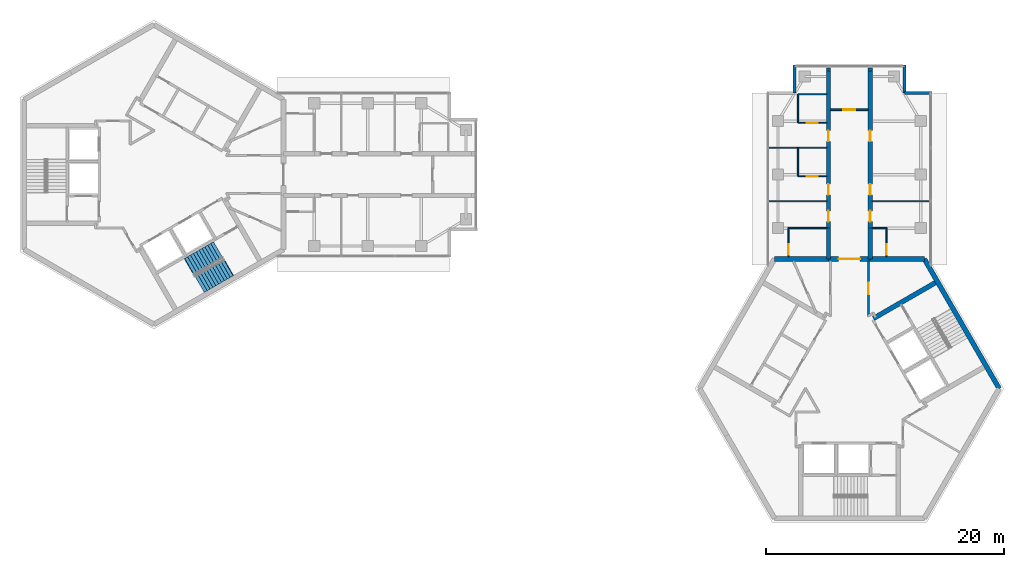
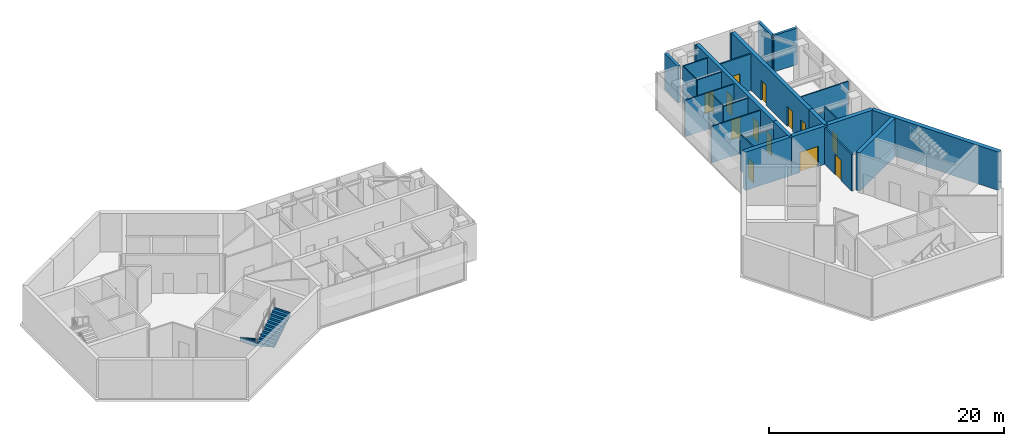
# One storey, part 9 of 11: 28 walls, 13 doors, 2 stair flights, 13 openings, 1 element without a shape of its own.
"""IFC4 building model written with IfcOpenShell, lengths in metres."""

from ifc_helpers import new_model, si_unit, direction, frame, frame_2d, origin, place, context, subcontext, project, spatial, polyline, rectangle, outline, extrude, material, layer, layer_set, type_object, element, fill, aggregate, save


model = new_model("IFC4")

# Units and contexts
model_context = context("Model", 3, precision=1e-05, world=origin(), true_north=direction((0.0, 1.0)))
body_context = subcontext(model_context, "Body", "Model", "MODEL_VIEW")
ifc_project = project(units=[si_unit("LENGTHUNIT", "METRE"), si_unit("AREAUNIT", "SQUARE_METRE"), si_unit("VOLUMEUNIT", "CUBIC_METRE"), si_unit("PLANEANGLEUNIT", "RADIAN"), si_unit("MASSUNIT", "GRAM", prefix="KILO")], contexts=[model_context])

# Site, building, storey
site_placement = place(None, origin())
site = spatial("IfcSite", under=ifc_project, at=site_placement, CompositionType="ELEMENT")
building_placement = place(site_placement, origin())
building = spatial("IfcBuilding", under=site, at=building_placement, Name="Upepo Twin Towers", CompositionType="ELEMENT")
storey_placement = place(building_placement, frame((0.0, 0.0, 267.5)))
storey = spatial("IfcBuildingStorey", under=building, at=storey_placement, Name="L65", CompositionType="ELEMENT", Elevation=267.5)

# Walls
ifc_material_1 = material(Name="Dense concrete blockwork", Category="masonry")
ifc_layer_1 = layer(ifc_material_1, 0.35009765625)
ifc_layer_set_1 = layer_set([ifc_layer_1], Name="Buttress closer 350, blockwork with fire-stopping to the curtain wall")
wall_type_1 = type_object("IfcWallType", Name="Buttress closer 350, blockwork with fire-stopping to the curtain wall", PredefinedType="PARTITIONING", material=ifc_layer_set_1)
for number, where, z_axis, x_axis, name in (
    (1, (56.75, 8.699951171875, 0.0), (0.0, 0.0, 1.0), (0.0, 1.0, 0.0), "T2 L65 wing A buttress closer L"),
    (2, (60.25, 8.699951171875, 0.0), (0.0, 0.0, 1.0), (0.0, 1.0, 0.0), "T2 L65 wing A buttress closer R"),
):
    element("IfcWall", number, at=place(storey_placement, frame(where, z_axis=z_axis, x_axis=x_axis)), inside=storey, type_object=wall_type_1, Name=name, PredefinedType="PARTITIONING", context=body_context, shape_type="SweptSolid", body=[
        extrude(rectangle(XDim=0.275146484375, YDim=0.35009765625, at=frame_2d((0.1376953125, 0.0))), origin(), (0.0, 0.0, 1.0), 3.800048828125),
    ])
ifc_material_2 = material(Name="Concrete C60/75", Category="concrete")
ifc_layer_2 = layer(ifc_material_2, 0.35009765625)
ifc_layer_set_2 = layer_set([ifc_layer_2], Name="Concrete C60/75")
wall_type_2 = type_object("IfcWallType", Name="Buttress wall 350 RC", PredefinedType="SHEAR", material=ifc_layer_set_2)
wall_1_placement = place(storey_placement, frame((56.75, -7.091552734375, 0.0), z_axis=(0.0, 0.0, 1.0), x_axis=(0.0, 1.0, 0.0)))
element("IfcWall", 3, at=wall_1_placement, inside=storey, type_object=wall_type_2, Name="T2 wing A buttress wall L", PredefinedType="SHEAR", context=body_context, shape_type="SweptSolid", body=[
    extrude(rectangle(XDim=2.591552734375, YDim=0.35009765625, at=frame_2d((1.2958984375, 0.0))), origin(), (0.0, 0.0, 1.0), 4.0),
])

# Wall, openings, doors
wall_2_placement = place(storey_placement, frame((56.75, -4.5, 0.0), z_axis=(0.0, 0.0, 1.0), x_axis=(0.0, 1.0, 0.0)))
wall_2 = element("IfcWall", 4, at=wall_2_placement, inside=storey, type_object=wall_type_2, Name="T2 wing A buttress wall L part 2", PredefinedType="SHEAR", context=body_context, shape_type="SweptSolid", body=[
    extrude(rectangle(XDim=13.199951171875, YDim=0.35009765625, at=frame_2d((6.60009765625, 0.0))), origin(), (0.0, 0.0, 1.0), 4.0),
])
opening_1_placement = place(wall_2_placement, frame((0.550048828125, 0.0, 0.0)))
opening_1 = element("IfcOpeningElement", 5, at=opening_1_placement, cuts=wall_2, Name="Opening D11", PredefinedType="OPENING", context=body_context, shape_type="SweptSolid", body=[
    extrude(rectangle(XDim=0.89990234375, YDim=2.10009765625, at=frame_2d((0.449951171875, 1.050048828125))), frame((0.0, 0.18505859375, 0.0), z_axis=(0.0, -1.0, 0.0), x_axis=(1.0, 0.0, 0.0)), (0.0, 0.0, 1.0), 0.3701171875),
])
opening_2_placement = place(wall_2_placement, frame((2.800048828125, 0.0, 0.0)))
opening_2 = element("IfcOpeningElement", 6, at=opening_2_placement, cuts=wall_2, Name="Opening D14", PredefinedType="OPENING", context=body_context, shape_type="SweptSolid", body=[
    extrude(rectangle(XDim=0.89990234375, YDim=2.10009765625, at=frame_2d((0.449951171875, 1.050048828125))), frame((0.0, 0.18505859375, 0.0), z_axis=(0.0, -1.0, 0.0), x_axis=(1.0, 0.0, 0.0)), (0.0, 0.0, 1.0), 0.3701171875),
])
opening_3_placement = place(wall_2_placement, frame((7.300048828125, 0.0, 0.0)))
opening_3 = element("IfcOpeningElement", 7, at=opening_3_placement, cuts=wall_2, Name="Opening D14", PredefinedType="OPENING", context=body_context, shape_type="SweptSolid", body=[
    extrude(rectangle(XDim=0.89990234375, YDim=2.10009765625, at=frame_2d((0.449951171875, 1.050048828125))), frame((0.0, 0.18505859375, 0.0), z_axis=(0.0, -1.0, 0.0), x_axis=(1.0, 0.0, 0.0)), (0.0, 0.0, 1.0), 0.3701171875),
])
ifc_material_3 = material(Name="Timber doorset", Category="wood")
door_type_1 = type_object("IfcDoorType", Name="Office door 900 FD30", OperationType="SINGLE_SWING_LEFT", PredefinedType="DOOR", material=ifc_material_3)
door_1_placement = place(opening_2_placement, origin())
door_1 = element("IfcDoor", 8, at=door_1_placement, inside=storey, type_object=door_type_1, Name="T2 L65 seminar room door", OperationType="SINGLE_SWING_LEFT", OverallHeight=2.10009765625, OverallWidth=0.89990234375, PredefinedType="DOOR", context=body_context, shape_type="SweptSolid", body=[
    extrude(rectangle(XDim=0.89990234375, YDim=2.10009765625, at=frame_2d((0.449951171875, 1.050048828125))), frame((0.0, 0.02490234375, 0.0), z_axis=(0.0, -1.0, 0.0), x_axis=(1.0, 0.0, 0.0)), (0.0, 0.0, 1.0), 0.050048828125),
])
fill(opening_2, door_1)
door_2_placement = place(opening_3_placement, origin())
door_2 = element("IfcDoor", 9, at=door_2_placement, inside=storey, type_object=door_type_1, Name="T2 L65 tutorial room door", OperationType="SINGLE_SWING_RIGHT", OverallHeight=2.10009765625, OverallWidth=0.89990234375, PredefinedType="DOOR", context=body_context, shape_type="SweptSolid", body=[
    extrude(rectangle(XDim=0.89990234375, YDim=2.10009765625, at=frame_2d((0.449951171875, 1.050048828125))), frame((0.0, 0.02490234375, 0.0), z_axis=(0.0, -1.0, 0.0), x_axis=(1.0, 0.0, 0.0)), (0.0, 0.0, 1.0), 0.050048828125),
])
fill(opening_3, door_2)
ifc_material_4 = material(Name="Timber doorset", Category="wood")
door_type_2 = type_object("IfcDoorType", Name="Toilet door 900", OperationType="SINGLE_SWING_LEFT", PredefinedType="DOOR", material=ifc_material_4)
door_3_placement = place(opening_1_placement, origin())
door_3 = element("IfcDoor", 10, at=door_3_placement, inside=storey, type_object=door_type_2, Name="T2 L65 accessible wc door", OperationType="SINGLE_SWING_LEFT", OverallHeight=2.10009765625, OverallWidth=0.89990234375, PredefinedType="DOOR", context=body_context, shape_type="SweptSolid", body=[
    extrude(rectangle(XDim=0.89990234375, YDim=2.10009765625, at=frame_2d((0.449951171875, 1.050048828125))), frame((0.0, 0.02490234375, 0.0), z_axis=(0.0, -1.0, 0.0), x_axis=(1.0, 0.0, 0.0)), (0.0, 0.0, 1.0), 0.050048828125),
])
fill(opening_1, door_3)

# Wall
wall_3_placement = place(storey_placement, frame((60.25, -7.091552734375, 0.0), z_axis=(0.0, 0.0, 1.0), x_axis=(0.0, 1.0, 0.0)))
element("IfcWall", 11, at=wall_3_placement, inside=storey, type_object=wall_type_2, Name="T2 wing A buttress wall R", PredefinedType="SHEAR", context=body_context, shape_type="SweptSolid", body=[
    extrude(rectangle(XDim=2.591552734375, YDim=0.35009765625, at=frame_2d((1.2958984375, 0.0))), origin(), (0.0, 0.0, 1.0), 4.0),
])

# Wall, openings, doors
wall_4_placement = place(storey_placement, frame((60.25, -4.5, 0.0), z_axis=(0.0, 0.0, 1.0), x_axis=(0.0, 1.0, 0.0)))
wall_4 = element("IfcWall", 12, at=wall_4_placement, inside=storey, type_object=wall_type_2, Name="T2 wing A buttress wall R part 2", PredefinedType="SHEAR", context=body_context, shape_type="SweptSolid", body=[
    extrude(rectangle(XDim=13.199951171875, YDim=0.35009765625, at=frame_2d((6.60009765625, 0.0))), origin(), (0.0, 0.0, 1.0), 4.0),
])
opening_4_placement = place(wall_4_placement, frame((0.550048828125, 0.0, 0.0)))
opening_4 = element("IfcOpeningElement", 13, at=opening_4_placement, cuts=wall_4, Name="Opening D11", PredefinedType="OPENING", context=body_context, shape_type="SweptSolid", body=[
    extrude(rectangle(XDim=0.89990234375, YDim=2.10009765625, at=frame_2d((0.449951171875, 1.050048828125))), frame((0.0, 0.18505859375, 0.0), z_axis=(0.0, -1.0, 0.0), x_axis=(1.0, 0.0, 0.0)), (0.0, 0.0, 1.0), 0.3701171875),
])
opening_5_placement = place(wall_4_placement, frame((2.800048828125, 0.0, 0.0)))
opening_5 = element("IfcOpeningElement", 14, at=opening_5_placement, cuts=wall_4, Name="Opening D14", PredefinedType="OPENING", context=body_context, shape_type="SweptSolid", body=[
    extrude(rectangle(XDim=0.89990234375, YDim=2.10009765625, at=frame_2d((0.449951171875, 1.050048828125))), frame((0.0, 0.18505859375, 0.0), z_axis=(0.0, -1.0, 0.0), x_axis=(1.0, 0.0, 0.0)), (0.0, 0.0, 1.0), 0.3701171875),
])
opening_6_placement = place(wall_4_placement, frame((7.300048828125, 0.0, 0.0)))
opening_6 = element("IfcOpeningElement", 15, at=opening_6_placement, cuts=wall_4, Name="Opening D14", PredefinedType="OPENING", context=body_context, shape_type="SweptSolid", body=[
    extrude(rectangle(XDim=0.89990234375, YDim=2.10009765625, at=frame_2d((0.449951171875, 1.050048828125))), frame((0.0, 0.18505859375, 0.0), z_axis=(0.0, -1.0, 0.0), x_axis=(1.0, 0.0, 0.0)), (0.0, 0.0, 1.0), 0.3701171875),
])
door_4_placement = place(opening_5_placement, origin())
door_4 = element("IfcDoor", 16, at=door_4_placement, inside=storey, type_object=door_type_1, Name="T2 L65 graduate seminar room door", OperationType="SINGLE_SWING_LEFT", OverallHeight=2.10009765625, OverallWidth=0.89990234375, PredefinedType="DOOR", context=body_context, shape_type="SweptSolid", body=[
    extrude(rectangle(XDim=0.89990234375, YDim=2.10009765625, at=frame_2d((0.449951171875, 1.050048828125))), frame((0.0, 0.02490234375, 0.0), z_axis=(0.0, -1.0, 0.0), x_axis=(1.0, 0.0, 0.0)), (0.0, 0.0, 1.0), 0.050048828125),
])
fill(opening_5, door_4)
door_5_placement = place(opening_6_placement, origin())
door_5 = element("IfcDoor", 17, at=door_5_placement, inside=storey, type_object=door_type_1, Name="T2 L65 graduate seminar room door", OperationType="SINGLE_SWING_RIGHT", OverallHeight=2.10009765625, OverallWidth=0.89990234375, PredefinedType="DOOR", context=body_context, shape_type="SweptSolid", body=[
    extrude(rectangle(XDim=0.89990234375, YDim=2.10009765625, at=frame_2d((0.449951171875, 1.050048828125))), frame((0.0, 0.02490234375, 0.0), z_axis=(0.0, -1.0, 0.0), x_axis=(1.0, 0.0, 0.0)), (0.0, 0.0, 1.0), 0.050048828125),
])
fill(opening_6, door_5)
door_6_placement = place(opening_4_placement, origin())
door_6 = element("IfcDoor", 18, at=door_6_placement, inside=storey, type_object=door_type_2, Name="T2 L65 toilets door", OperationType="SINGLE_SWING_LEFT", OverallHeight=2.10009765625, OverallWidth=0.89990234375, PredefinedType="DOOR", context=body_context, shape_type="SweptSolid", body=[
    extrude(rectangle(XDim=0.89990234375, YDim=2.10009765625, at=frame_2d((0.449951171875, 1.050048828125))), frame((0.0, 0.02490234375, 0.0), z_axis=(0.0, -1.0, 0.0), x_axis=(1.0, 0.0, 0.0)), (0.0, 0.0, 1.0), 0.050048828125),
])
fill(opening_4, door_6)

# Wall
ifc_material_5 = material(Name="Concrete C60/75", Category="concrete")
ifc_layer_3 = layer(ifc_material_5, 0.39990234375)
ifc_layer_set_3 = layer_set([ifc_layer_3], Name="Concrete C60/75")
wall_type_3 = type_object("IfcWallType", Name="Core wall 400 RC", PredefinedType="SHEAR", material=ifc_layer_set_3)
wall_5_placement = place(storey_placement, frame((64.7978515625, -7.091552734375, 0.0), z_axis=(0.0, 0.0, 1.0), x_axis=(-1.0, 0.0, 0.0)))
element("IfcWall", 19, at=wall_5_placement, inside=storey, type_object=wall_type_3, Name="T2 core wall 000 R", PredefinedType="SHEAR", context=body_context, shape_type="SweptSolid", body=[
    extrude(rectangle(XDim=4.5478515625, YDim=0.39990234375, at=frame_2d((2.27392578125, 0.0))), origin(), (0.0, 0.0, 1.0), 4.0),
])

# Wall, opening, door
wall_6_placement = place(storey_placement, frame((60.25, -7.091552734375, 0.0), z_axis=(0.0, 0.0, 1.0), x_axis=(-1.0, 0.0, 0.0)))
wall_6 = element("IfcWall", 20, at=wall_6_placement, inside=storey, type_object=wall_type_3, Name="T2 core wall 000", PredefinedType="SHEAR", context=body_context, shape_type="SweptSolid", body=[
    extrude(rectangle(XDim=3.5, YDim=0.39990234375, at=frame_2d((1.75, 0.0))), origin(), (0.0, 0.0, 1.0), 4.0),
])
opening_7_placement = place(wall_6_placement, frame((0.85009765625, 0.0, 0.0)))
opening_7 = element("IfcOpeningElement", 21, at=opening_7_placement, cuts=wall_6, Name="Opening D2", PredefinedType="OPENING", context=body_context, shape_type="SweptSolid", body=[
    extrude(rectangle(XDim=1.800048828125, YDim=2.10009765625, at=frame_2d((0.89990234375, 1.050048828125))), frame((0.0, 0.2099609375, 0.0), z_axis=(0.0, -1.0, 0.0), x_axis=(1.0, 0.0, 0.0)), (0.0, 0.0, 1.0), 0.419921875),
])
ifc_material_6 = material(Name="Timber doorset", Category="wood")
door_type_3 = type_object("IfcDoorType", Name="Corridor double door 1800 FD60", OperationType="DOUBLE_DOOR_DOUBLE_SWING", PredefinedType="DOOR", material=ifc_material_6)
door_7_placement = place(opening_7_placement, origin())
door_7 = element("IfcDoor", 22, at=door_7_placement, inside=storey, type_object=door_type_3, Name="T2 L65 wing A corridor door", OperationType="DOUBLE_DOOR_DOUBLE_SWING", OverallHeight=2.10009765625, OverallWidth=1.800048828125, PredefinedType="DOOR", context=body_context, shape_type="SweptSolid", body=[
    extrude(rectangle(XDim=1.800048828125, YDim=2.10009765625, at=frame_2d((0.89990234375, 1.050048828125))), frame((0.0, 0.02490234375, 0.0), z_axis=(0.0, -1.0, 0.0), x_axis=(1.0, 0.0, 0.0)), (0.0, 0.0, 1.0), 0.050048828125),
])
fill(opening_7, door_7)

# Walls
wall_7_placement = place(storey_placement, frame((56.75, -7.091552734375, 0.0), z_axis=(0.0, 0.0, 1.0), x_axis=(-1.0, 0.0, 0.0)))
element("IfcWall", 23, at=wall_7_placement, inside=storey, type_object=wall_type_3, Name="T2 core wall 000 L", PredefinedType="SHEAR", context=body_context, shape_type="SweptSolid", body=[
    extrude(rectangle(XDim=4.5478515625, YDim=0.39990234375, at=frame_2d((2.27392578125, 0.0))), origin(), (0.0, 0.0, 1.0), 4.0),
])
wall_8_placement = place(storey_placement, frame((71.095947265625, -18.0, 0.0), z_axis=(0.0, 0.0, 1.0), x_axis=(-0.500005998175, 0.866021940709, 0.0)))
element("IfcWall", 24, at=wall_8_placement, inside=storey, type_object=wall_type_3, Name="T2 core wall 300", PredefinedType="SHEAR", context=body_context, shape_type="SweptSolid", body=[
    extrude(rectangle(XDim=12.595947265625, YDim=0.39990234375, at=frame_2d((6.2978515625, 0.0))), origin(), (0.0, 0.0, 1.0), 4.0),
])
ifc_material_7 = material(Name="Blockwork with anodised aluminium cladding", Category="masonry")
ifc_layer_4 = layer(ifc_material_7, 0.25)
ifc_layer_set_4 = layer_set([ifc_layer_4], Name="Notch cladding wall 250, pale metal")
wall_type_4 = type_object("IfcWallType", Name="Notch cladding wall 250, pale metal", PredefinedType="STANDARD", material=ifc_layer_set_4)
for number, where, z_axis, x_axis, name in (
    (25, (53.875, 6.875, 0.0), (0.0, 0.0, 1.0), (0.0, 1.0, 0.0), "T2 L65 wing A notch wall L2"),
    (26, (65.449951171875, 6.875, 0.0), (0.0, 0.0, 1.0), (-1.0, 0.0, 0.0), "T2 L65 wing A notch wall R1"),
    (27, (63.125, 6.875, 0.0), (0.0, 0.0, 1.0), (0.0, 1.0, 0.0), "T2 L65 wing A notch wall R2"),
):
    element("IfcWall", number, at=place(storey_placement, frame(where, z_axis=z_axis, x_axis=x_axis)), inside=storey, type_object=wall_type_4, Name=name, PredefinedType="STANDARD", context=body_context, shape_type="SweptSolid", body=[
        extrude(rectangle(XDim=2.324951171875, YDim=0.25, at=frame_2d((1.16259765625, 0.0))), origin(), (0.0, 0.0, 1.0), 3.800048828125),
    ])
ifc_material_8 = material(Name="Gypsum board on steel studs", Category="steel")
ifc_layer_5 = layer(ifc_material_8, 0.10009765625)
ifc_layer_set_5 = layer_set([ifc_layer_5], Name="Office partition 100 stud")
wall_type_5 = type_object("IfcWallType", Name="Office partition 100 stud", PredefinedType="PARTITIONING", material=ifc_layer_set_5)
for number, where, z_axis, x_axis, name in (
    (28, (56.574951171875, -2.25, 0.0), (0.0, 0.0, 1.0), (-1.0, 0.0, 0.0), "T2 partition AL at 15.75"),
    (29, (56.574951171875, 2.25, 0.0), (0.0, 0.0, 1.0), (-1.0, 0.0, 0.0), "T2 partition AL at 20.25"),
):
    element("IfcWall", number, at=place(storey_placement, frame(where, z_axis=z_axis, x_axis=x_axis)), inside=storey, type_object=wall_type_5, Name=name, PredefinedType="PARTITIONING", context=body_context, shape_type="SweptSolid", body=[
        extrude(rectangle(XDim=4.824951171875, YDim=0.10009765625, at=frame_2d((2.41259765625, 0.0))), origin(), (0.0, 0.0, 1.0), 3.800048828125),
    ])
wall_9_placement = place(storey_placement, frame((54.175048828125, -0.14990234375, 0.0), z_axis=(0.0, 0.0, 1.0), x_axis=(0.0, 1.0, 0.0)))
element("IfcWall", 30, at=wall_9_placement, inside=storey, type_object=wall_type_5, Name="T2 inner room partition AL at 17.85", PredefinedType="PARTITIONING", context=body_context, shape_type="SweptSolid", body=[
    extrude(rectangle(XDim=2.39990234375, YDim=0.10009765625, at=frame_2d((1.199951171875, 0.0))), origin(), (0.0, 0.0, 1.0), 3.800048828125),
])

# Wall, opening, door
wall_10_placement = place(storey_placement, frame((56.574951171875, -0.14990234375, 0.0), z_axis=(0.0, 0.0, 1.0), x_axis=(-1.0, 0.0, 0.0)))
wall_10 = element("IfcWall", 31, at=wall_10_placement, inside=storey, type_object=wall_type_5, Name="T2 inner room partition AL end at 17.85", PredefinedType="PARTITIONING", context=body_context, shape_type="SweptSolid", body=[
    extrude(rectangle(XDim=2.39990234375, YDim=0.10009765625, at=frame_2d((1.199951171875, 0.0))), origin(), (0.0, 0.0, 1.0), 3.800048828125),
])
opening_8_placement = place(wall_10_placement, frame((0.75, 0.0, 0.0)))
opening_8 = element("IfcOpeningElement", 32, at=opening_8_placement, cuts=wall_10, Name="Opening D14", PredefinedType="OPENING", context=body_context, shape_type="SweptSolid", body=[
    extrude(rectangle(XDim=0.89990234375, YDim=2.10009765625, at=frame_2d((0.449951171875, 1.050048828125))), frame((0.0, 0.06005859375, 0.0), z_axis=(0.0, -1.0, 0.0), x_axis=(1.0, 0.0, 0.0)), (0.0, 0.0, 1.0), 0.1201171875),
])
door_8_placement = place(opening_8_placement, origin())
door_8 = element("IfcDoor", 33, at=door_8_placement, inside=storey, type_object=door_type_1, Name="T2 L65 inner room door", OperationType="SINGLE_SWING_LEFT", OverallHeight=2.10009765625, OverallWidth=0.89990234375, PredefinedType="DOOR", context=body_context, shape_type="SweptSolid", body=[
    extrude(rectangle(XDim=0.89990234375, YDim=2.10009765625, at=frame_2d((0.449951171875, 1.050048828125))), frame((0.0, 0.02490234375, 0.0), z_axis=(0.0, -1.0, 0.0), x_axis=(1.0, 0.0, 0.0)), (0.0, 0.0, 1.0), 0.050048828125),
])
fill(opening_8, door_8)

# Wall
wall_11_placement = place(storey_placement, frame((54.175048828125, 4.35009765625, 0.0), z_axis=(0.0, 0.0, 1.0), x_axis=(0.0, 1.0, 0.0)))
element("IfcWall", 34, at=wall_11_placement, inside=storey, type_object=wall_type_5, Name="T2 inner room partition AL at 22.35", PredefinedType="PARTITIONING", context=body_context, shape_type="SweptSolid", body=[
    extrude(rectangle(XDim=2.39990234375, YDim=0.10009765625, at=frame_2d((1.199951171875, 0.0))), origin(), (0.0, 0.0, 1.0), 3.800048828125),
])

# Wall, opening, door
wall_12_placement = place(storey_placement, frame((56.574951171875, 4.35009765625, 0.0), z_axis=(0.0, 0.0, 1.0), x_axis=(-1.0, 0.0, 0.0)))
wall_12 = element("IfcWall", 35, at=wall_12_placement, inside=storey, type_object=wall_type_5, Name="T2 inner room partition AL end at 22.35", PredefinedType="PARTITIONING", context=body_context, shape_type="SweptSolid", body=[
    extrude(rectangle(XDim=2.39990234375, YDim=0.10009765625, at=frame_2d((1.199951171875, 0.0))), origin(), (0.0, 0.0, 1.0), 3.800048828125),
])
opening_9_placement = place(wall_12_placement, frame((0.75, 0.0, 0.0)))
opening_9 = element("IfcOpeningElement", 36, at=opening_9_placement, cuts=wall_12, Name="Opening D14", PredefinedType="OPENING", context=body_context, shape_type="SweptSolid", body=[
    extrude(rectangle(XDim=0.89990234375, YDim=2.10009765625, at=frame_2d((0.449951171875, 1.050048828125))), frame((0.0, 0.06005859375, 0.0), z_axis=(0.0, -1.0, 0.0), x_axis=(1.0, 0.0, 0.0)), (0.0, 0.0, 1.0), 0.1201171875),
])
door_9_placement = place(opening_9_placement, origin())
door_9 = element("IfcDoor", 37, at=door_9_placement, inside=storey, type_object=door_type_1, Name="T2 L65 inner room door", OperationType="SINGLE_SWING_LEFT", OverallHeight=2.10009765625, OverallWidth=0.89990234375, PredefinedType="DOOR", context=body_context, shape_type="SweptSolid", body=[
    extrude(rectangle(XDim=0.89990234375, YDim=2.10009765625, at=frame_2d((0.449951171875, 1.050048828125))), frame((0.0, 0.02490234375, 0.0), z_axis=(0.0, -1.0, 0.0), x_axis=(1.0, 0.0, 0.0)), (0.0, 0.0, 1.0), 0.050048828125),
])
fill(opening_9, door_9)

# Wall
wall_13_placement = place(storey_placement, frame((56.574951171875, 6.75, 0.0), z_axis=(0.0, 0.0, 1.0), x_axis=(-1.0, 0.0, 0.0)))
element("IfcWall", 38, at=wall_13_placement, inside=storey, type_object=wall_type_5, Name="T2 inner room partition AL end at 24.75", PredefinedType="PARTITIONING", context=body_context, shape_type="SweptSolid", body=[
    extrude(rectangle(XDim=2.39990234375, YDim=0.10009765625, at=frame_2d((1.199951171875, 0.0))), origin(), (0.0, 0.0, 1.0), 3.800048828125),
])

# Wall, opening, door
wall_14_placement = place(storey_placement, frame((53.375, -6.89208984375, 0.0), z_axis=(0.0, 0.0, 1.0), x_axis=(0.0, 1.0, 0.0)))
wall_14 = element("IfcWall", 39, at=wall_14_placement, inside=storey, type_object=wall_type_5, Name="T2 WC bay partition AL at 11.11", PredefinedType="PARTITIONING", context=body_context, shape_type="SweptSolid", body=[
    extrude(rectangle(XDim=2.400146484375, YDim=0.10009765625, at=frame_2d((1.2001953125, 0.0))), origin(), (0.0, 0.0, 1.0), 3.800048828125),
])
opening_10_placement = place(wall_14_placement, frame((0.14990234375, 0.0, 0.0)))
opening_10 = element("IfcOpeningElement", 40, at=opening_10_placement, cuts=wall_14, Name="Opening D14", PredefinedType="OPENING", context=body_context, shape_type="SweptSolid", body=[
    extrude(rectangle(XDim=0.89990234375, YDim=2.10009765625, at=frame_2d((0.449951171875, 1.050048828125))), frame((0.0, 0.06005859375, 0.0), z_axis=(0.0, -1.0, 0.0), x_axis=(1.0, 0.0, 0.0)), (0.0, 0.0, 1.0), 0.1201171875),
])
door_10_placement = place(opening_10_placement, origin())
door_10 = element("IfcDoor", 41, at=door_10_placement, inside=storey, type_object=door_type_1, Name="T2 L65 WC bay inner room door", OperationType="SINGLE_SWING_LEFT", OverallHeight=2.10009765625, OverallWidth=0.89990234375, PredefinedType="DOOR", context=body_context, shape_type="SweptSolid", body=[
    extrude(rectangle(XDim=0.89990234375, YDim=2.10009765625, at=frame_2d((0.449951171875, 1.050048828125))), frame((0.0, 0.02490234375, 0.0), z_axis=(0.0, -1.0, 0.0), x_axis=(1.0, 0.0, 0.0)), (0.0, 0.0, 1.0), 0.050048828125),
])
fill(opening_10, door_10)

# Walls
wall_15_placement = place(storey_placement, frame((56.574951171875, -4.491943359375, 0.0), z_axis=(0.0, 0.0, 1.0), x_axis=(-1.0, 0.0, 0.0)))
element("IfcWall", 42, at=wall_15_placement, inside=storey, type_object=wall_type_5, Name="T2 WC bay partition AL end at 13.51", PredefinedType="PARTITIONING", context=body_context, shape_type="SweptSolid", body=[
    extrude(rectangle(XDim=3.199951171875, YDim=0.10009765625, at=frame_2d((1.60009765625, 0.0))), origin(), (0.0, 0.0, 1.0), 3.266845703125),
])
wall_16_placement = place(storey_placement, frame((60.425048828125, -2.25, 0.0), z_axis=(0.0, 0.0, 1.0), x_axis=(1.0, 0.0, 0.0)))
element("IfcWall", 43, at=wall_16_placement, inside=storey, type_object=wall_type_5, Name="T2 partition AR at 15.75", PredefinedType="PARTITIONING", context=body_context, shape_type="SweptSolid", body=[
    extrude(rectangle(XDim=4.824951171875, YDim=0.10009765625, at=frame_2d((2.41259765625, 0.0))), origin(), (0.0, 0.0, 1.0), 3.800048828125),
])

# Wall, opening, door
wall_17_placement = place(storey_placement, frame((61.625, -6.89208984375, 0.0), z_axis=(0.0, 0.0, 1.0), x_axis=(0.0, 1.0, 0.0)))
wall_17 = element("IfcWall", 44, at=wall_17_placement, inside=storey, type_object=wall_type_5, Name="T2 WC bay partition AR at 11.11", PredefinedType="PARTITIONING", context=body_context, shape_type="SweptSolid", body=[
    extrude(rectangle(XDim=2.400146484375, YDim=0.10009765625, at=frame_2d((1.2001953125, 0.0))), origin(), (0.0, 0.0, 1.0), 3.800048828125),
])
opening_11_placement = place(wall_17_placement, frame((0.14990234375, 0.0, 0.0)))
opening_11 = element("IfcOpeningElement", 45, at=opening_11_placement, cuts=wall_17, Name="Opening D14", PredefinedType="OPENING", context=body_context, shape_type="SweptSolid", body=[
    extrude(rectangle(XDim=0.89990234375, YDim=2.10009765625, at=frame_2d((0.449951171875, 1.050048828125))), frame((0.0, 0.06005859375, 0.0), z_axis=(0.0, -1.0, 0.0), x_axis=(1.0, 0.0, 0.0)), (0.0, 0.0, 1.0), 0.1201171875),
])
door_11_placement = place(opening_11_placement, origin())
door_11 = element("IfcDoor", 46, at=door_11_placement, inside=storey, type_object=door_type_1, Name="T2 L65 WC bay inner room door", OperationType="SINGLE_SWING_LEFT", OverallHeight=2.10009765625, OverallWidth=0.89990234375, PredefinedType="DOOR", context=body_context, shape_type="SweptSolid", body=[
    extrude(rectangle(XDim=0.89990234375, YDim=2.10009765625, at=frame_2d((0.449951171875, 1.050048828125))), frame((0.0, 0.02490234375, 0.0), z_axis=(0.0, -1.0, 0.0), x_axis=(1.0, 0.0, 0.0)), (0.0, 0.0, 1.0), 0.050048828125),
])
fill(opening_11, door_11)

# Walls
wall_18_placement = place(storey_placement, frame((60.425048828125, -4.491943359375, 0.0), z_axis=(0.0, 0.0, 1.0), x_axis=(1.0, 0.0, 0.0)))
element("IfcWall", 47, at=wall_18_placement, inside=storey, type_object=wall_type_5, Name="T2 WC bay partition AR end at 13.51", PredefinedType="PARTITIONING", context=body_context, shape_type="SweptSolid", body=[
    extrude(rectangle(XDim=1.199951171875, YDim=0.10009765625, at=frame_2d((0.60009765625, 0.0))), origin(), (0.0, 0.0, 1.0), 3.266845703125),
])
ifc_material_9 = material(Name="Concrete C40/50", Category="concrete")
ifc_layer_6 = layer(ifc_material_9, 0.39990234375)
ifc_layer_set_6 = layer_set([ifc_layer_6], Name="Concrete C40/50")
wall_type_6 = type_object("IfcWallType", Name="Shaft wall 400 RC", PredefinedType="SHEAR", material=ifc_layer_set_6)
wall_19_placement = place(storey_placement, frame((60.520263671875, -12.099365234375, 0.0), z_axis=(0.0, 0.0, 1.0), x_axis=(0.866026570101, 0.499997979876, 0.0)))
element("IfcWall", 48, at=wall_19_placement, inside=storey, type_object=wall_type_6, Name="T2 core W300 side wall N", PredefinedType="SHEAR", context=body_context, shape_type="SweptSolid", body=[
    extrude(rectangle(XDim=6.00830078125, YDim=0.39990234375, at=frame_2d((3.004150390625, 0.0))), origin(), (0.0, 0.0, 1.0), 4.0),
])

# Wall, opening, door
ifc_material_10 = material(Name="Gypsum board on steel studs", Category="steel")
ifc_layer_7 = layer(ifc_material_10, 0.14990234375)
ifc_layer_set_7 = layer_set([ifc_layer_7], Name="Teaching partition 150 acoustic")
wall_type_7 = type_object("IfcWallType", Name="Teaching partition 150 acoustic", PredefinedType="PARTITIONING", material=ifc_layer_set_7)
wall_20_placement = place(storey_placement, frame((60.10009765625, -7.28173828125, 0.0), z_axis=(0.0, 0.0, 1.0), x_axis=(0.0, -1.0, 0.0)))
wall_20 = element("IfcWall", 49, at=wall_20_placement, inside=storey, type_object=wall_type_7, Name="T2 core room partition 12", PredefinedType="PARTITIONING", context=body_context, shape_type="SweptSolid", body=[
    extrude(rectangle(XDim=4.618408203125, YDim=0.14990234375, at=frame_2d((2.30908203125, 0.0))), origin(), (0.0, 0.0, 1.0), 3.800048828125),
])
opening_12_placement = place(wall_20_placement, frame((1.799072265625, 0.0, 0.0)))
opening_12 = element("IfcOpeningElement", 50, at=opening_12_placement, cuts=wall_20, Name="Opening D1", PredefinedType="OPENING", context=body_context, shape_type="SweptSolid", body=[
    extrude(rectangle(XDim=1.0, YDim=2.10009765625, at=frame_2d((0.5, 1.050048828125))), frame((0.0, 0.0849609375, 0.0), z_axis=(0.0, -1.0, 0.0), x_axis=(1.0, 0.0, 0.0)), (0.0, 0.0, 1.0), 0.169921875),
])
ifc_material_11 = material(Name="Timber doorset", Category="wood")
door_type_4 = type_object("IfcDoorType", Name="Room door 1000 FD30", OperationType="SINGLE_SWING_LEFT", PredefinedType="DOOR", material=ifc_material_11)
door_12_placement = place(opening_12_placement, origin())
door_12 = element("IfcDoor", 51, at=door_12_placement, inside=storey, type_object=door_type_4, Name="T2 L65 core room door K4", OperationType="SINGLE_SWING_LEFT", OverallHeight=2.10009765625, OverallWidth=1.0, PredefinedType="DOOR", context=body_context, shape_type="SweptSolid", body=[
    extrude(rectangle(XDim=1.0, YDim=2.10009765625, at=frame_2d((0.5, 1.050048828125))), frame((0.0, 0.02490234375, 0.0), z_axis=(0.0, -1.0, 0.0), x_axis=(1.0, 0.0, 0.0)), (0.0, 0.0, 1.0), 0.050048828125),
])
fill(opening_12, door_12)

wall_21_placement = place(storey_placement, frame((60.074951171875, 5.449951171875, 0.0), z_axis=(0.0, 0.0, 1.0), x_axis=(-1.0, 0.0, 0.0)))
wall_21 = element("IfcWall", 52, at=wall_21_placement, inside=storey, type_object=wall_type_7, Name="T2 corridor end partition A at 23.45", PredefinedType="PARTITIONING", context=body_context, shape_type="SweptSolid", body=[
    extrude(rectangle(XDim=3.14990234375, YDim=0.14990234375, at=frame_2d((1.574951171875, 0.0))), origin(), (0.0, 0.0, 1.0), 3.800048828125),
])
opening_13_placement = place(wall_21_placement, frame((1.074951171875, 0.0, 0.0)))
opening_13 = element("IfcOpeningElement", 53, at=opening_13_placement, cuts=wall_21, Name="Opening D1", PredefinedType="OPENING", context=body_context, shape_type="SweptSolid", body=[
    extrude(rectangle(XDim=1.0, YDim=2.10009765625, at=frame_2d((0.5, 1.050048828125))), frame((0.0, 0.0849609375, 0.0), z_axis=(0.0, -1.0, 0.0), x_axis=(1.0, 0.0, 0.0)), (0.0, 0.0, 1.0), 0.169921875),
])
door_13_placement = place(opening_13_placement, origin())
door_13 = element("IfcDoor", 54, at=door_13_placement, inside=storey, type_object=door_type_4, Name="T2 L65 breakout study room door", OperationType="SINGLE_SWING_LEFT", OverallHeight=2.10009765625, OverallWidth=1.0, PredefinedType="DOOR", context=body_context, shape_type="SweptSolid", body=[
    extrude(rectangle(XDim=1.0, YDim=2.10009765625, at=frame_2d((0.5, 1.050048828125))), frame((0.0, 0.02490234375, 0.0), z_axis=(0.0, -1.0, 0.0), x_axis=(1.0, 0.0, 0.0)), (0.0, 0.0, 1.0), 0.050048828125),
])
fill(opening_13, door_13)

# Stair, stair flights
ifc_material_12 = material(Name="Concrete C40/50", Category="concrete")
stair_type = type_object("IfcStairType", Name="Core stair, two flights", PredefinedType="HALF_TURN_STAIR", material=ifc_material_12)
stair_placement = place(storey_placement, origin())
stair = element("IfcStair", 55, at=stair_placement, inside=storey, type_object=stair_type, Name="T1 stair S2 L65", PredefinedType="HALF_TURN_STAIR")
ifc_material_13 = material(Name="Concrete C40/50", Category="concrete")
stair_flight_type = type_object("IfcStairFlightType", Name="Stair flight 1600 RC", PredefinedType="STRAIGHT", material=ifc_material_13)
stair_flight_1_placement = place(storey_placement, frame((5.416259765625, -6.34130859375, 0.0), z_axis=(0.0, 0.0, 1.0), x_axis=(-0.866025403784, -0.5, 0.0)))
stair_flight_1 = element("IfcStairFlight", 56, at=stair_flight_1_placement, type_object=stair_flight_type, Name="Stair S2 flight 1", NumberOfRisers=11, NumberOfTreads=10, PredefinedType="STRAIGHT", RiserHeight=0.181818182, TreadLength=0.28, context=body_context, shape_type="SweptSolid", body=[
    extrude(outline(polyline([(0.0, 0.0), (0.0, 0.181884765625), (0.280029296875, 0.181884765625), (0.280029296875, 0.363525390625), (0.56005859375, 0.363525390625), (0.56005859375, 0.54541015625), (0.840087890625, 0.54541015625), (0.840087890625, 0.727294921875), (1.1201171875, 0.727294921875), (1.1201171875, 0.9091796875), (1.39990234375, 0.9091796875), (1.39990234375, 1.0908203125), (1.679931640625, 1.0908203125), (1.679931640625, 1.272705078125), (1.9599609375, 1.272705078125), (1.9599609375, 1.45458984375), (2.239990234375, 1.45458984375), (2.239990234375, 1.636474609375), (2.52001953125, 1.636474609375), (2.52001953125, 1.818115234375), (2.800048828125, 1.818115234375), (2.800048828125, 2.0), (2.85009765625, 2.0), (2.85009765625, 1.639404296875), (0.3251953125, 0.0), (0.0, 0.0)])), frame((0.0, 0.800048828125, 0.0), z_axis=(0.0, -1.0, 0.0), x_axis=(1.0, 0.0, 0.0)), (0.0, 0.0, 1.0), 1.60009765625),
])
stair_flight_2_placement = place(storey_placement, frame((3.845703125, -9.220947265625, 2.0), z_axis=(0.0, 0.0, 1.0), x_axis=(0.866025403784, 0.5, 0.0)))
stair_flight_2 = element("IfcStairFlight", 57, at=stair_flight_2_placement, type_object=stair_flight_type, Name="Stair S2 flight 2", NumberOfRisers=11, NumberOfTreads=10, PredefinedType="STRAIGHT", RiserHeight=0.181818182, TreadLength=0.28, context=body_context, shape_type="SweptSolid", body=[
    extrude(outline(polyline([(0.0, 0.0), (0.0, 0.181884765625), (0.280029296875, 0.181884765625), (0.280029296875, 0.363525390625), (0.56005859375, 0.363525390625), (0.56005859375, 0.54541015625), (0.840087890625, 0.54541015625), (0.840087890625, 0.727294921875), (1.1201171875, 0.727294921875), (1.1201171875, 0.9091796875), (1.39990234375, 0.9091796875), (1.39990234375, 1.0908203125), (1.679931640625, 1.0908203125), (1.679931640625, 1.272705078125), (1.9599609375, 1.272705078125), (1.9599609375, 1.45458984375), (2.239990234375, 1.45458984375), (2.239990234375, 1.636474609375), (2.52001953125, 1.636474609375), (2.52001953125, 1.818115234375), (2.800048828125, 1.818115234375), (2.800048828125, 2.0), (2.85009765625, 2.0), (2.85009765625, 1.639404296875), (0.3251953125, 0.0), (0.0, 0.0)])), frame((0.0, 0.800048828125, 0.0), z_axis=(0.0, -1.0, 0.0), x_axis=(1.0, 0.0, 0.0)), (0.0, 0.0, 1.0), 1.60009765625),
])
aggregate(stair, [stair_flight_1, stair_flight_2])

save(model, "model.ifc")
